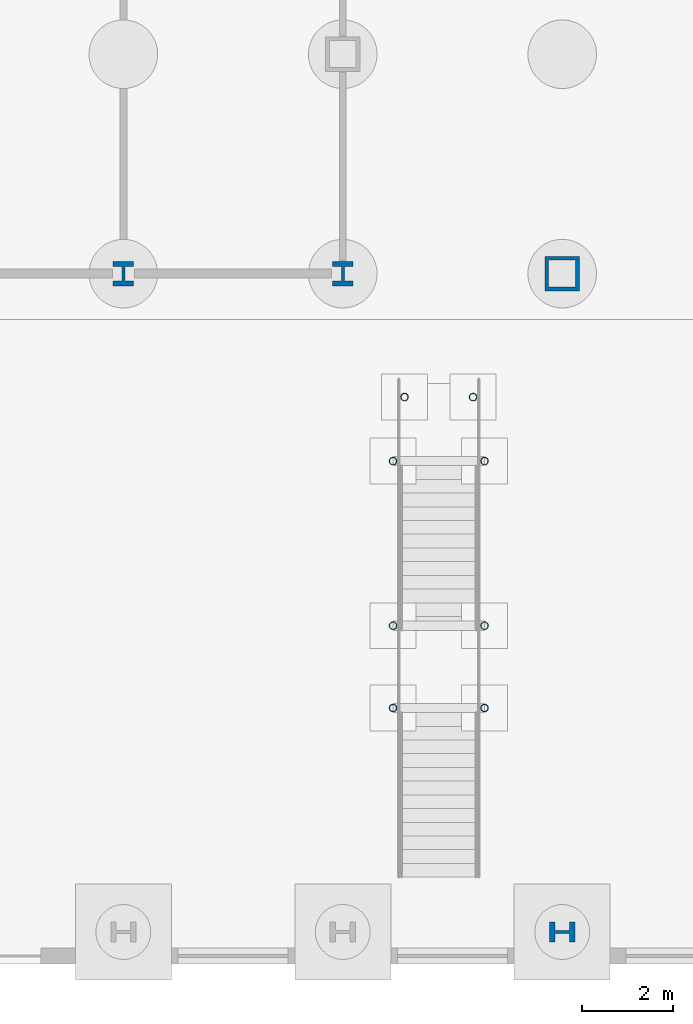
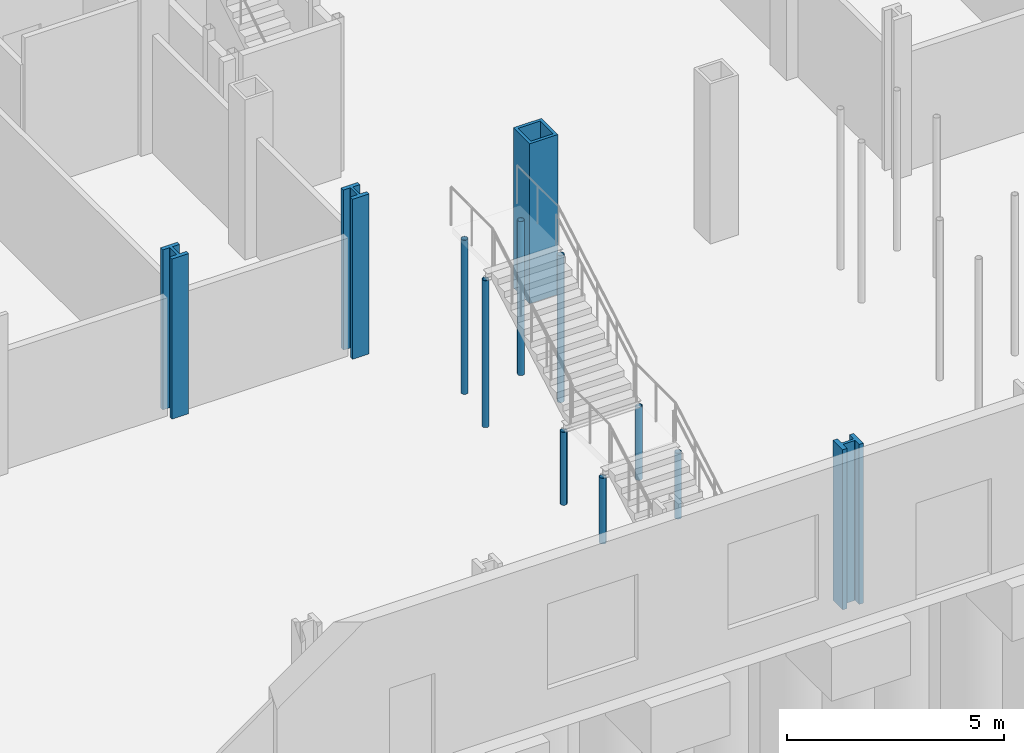
# One storey, part 3 of 22: 12 columns.
"""IFC4 building model written with IfcOpenShell, lengths in metres."""

import ifcopenshell
import ifcopenshell.guid

model = None  # the IFC model being written
_history = None  # IfcOwnerHistory: only IFC2X3 demands one
_inside = {}  # id of a spatial element -> (the spatial element, [elements in it])
_under = {}  # id of a project, library or spatial element -> (it, [spatial elements below it])
_declared = {}  # id of a project -> (the project, [libraries it declares])
_typed = {}  # id of a type object -> (the type object, [elements of that type])
_made_of = {}  # id of a material, layer set ... -> (it, [elements and type objects made of it])


def new_model(schema):
    """Start an empty IFC model of exactly this schema.

    Asked for "IFC4X3", IfcOpenShell would pick the latest addendum, in which some entities
    have other attributes; the version numbers below select the first issue.
    IFC2X3 requires an IfcOwnerHistory on every rooted entity: one is made here for all.
    """
    global model, _history
    if schema == "IFC4X3":
        model = ifcopenshell.file(schema_version=(4, 3, 0, 0))
    else:
        model = ifcopenshell.file(schema=schema)
    _inside.clear()
    _under.clear()
    _declared.clear()
    _typed.clear()
    _made_of.clear()
    _history = None
    if model.schema == "IFC2X3":
        org = make("IfcOrganization", Name="unknown")
        user = make(
            "IfcPersonAndOrganization",
            ThePerson=make("IfcPerson", FamilyName="unknown"),
            TheOrganization=org,
        )
        app = make(
            "IfcApplication",
            ApplicationDeveloper=org,
            Version="unknown",
            ApplicationFullName="unknown",
            ApplicationIdentifier="unknown",
        )
        _history = make(
            "IfcOwnerHistory",
            OwningUser=user,
            OwningApplication=app,
            ChangeAction="ADDED",
            CreationDate=0,
        )
    return model


def make(cls, **values):
    """One entity of the class cls with the attributes given. An attribute that is None is left unset."""
    return model.create_entity(
        cls, **{name: value for name, value in values.items() if value is not None}
    )


def rooted(cls, **values):
    """An entity with a GlobalId (a new one), such as an element, a storey or a relation."""
    return make(cls, GlobalId=ifcopenshell.guid.new(), OwnerHistory=_history, **values)


def si_unit(unit_type, name, prefix=None):
    """IfcSIUnit, for example si_unit("LENGTHUNIT", "METRE", prefix="MILLI")."""
    return make("IfcSIUnit", UnitType=unit_type, Prefix=prefix, Name=name)


def assignment(units):
    """IfcUnitAssignment: the units of a project."""
    return None if units is None else make("IfcUnitAssignment", Units=units)


def point(xyz):
    """IfcCartesianPoint."""
    return None if xyz is None else make("IfcCartesianPoint", Coordinates=xyz)


def direction(xyz):
    """IfcDirection."""
    return None if xyz is None else make("IfcDirection", DirectionRatios=xyz)


def frame(location, z_axis=None, x_axis=None):
    """IfcAxis2Placement3D, a coordinate frame: its origin and axes. An axis left out is left unset."""
    return make(
        "IfcAxis2Placement3D",
        Location=point(location),
        Axis=direction(z_axis),
        RefDirection=direction(x_axis),
    )


def frame_2d(location, x_axis=None):
    """IfcAxis2Placement2D, a coordinate frame in the plane: its origin and x axis."""
    return make(
        "IfcAxis2Placement2D", Location=point(location), RefDirection=direction(x_axis)
    )


def origin():
    """The frame at (0, 0, 0) with its axes left unset."""
    return frame((0.0, 0.0, 0.0))


def origin_2d():
    """The frame at (0, 0) in the plane with its x axis left unset."""
    return frame_2d((0.0, 0.0))


def place(relative_to, where):
    """IfcLocalPlacement: puts the frame where relative to a parent placement (None: the world)."""
    return make(
        "IfcLocalPlacement", PlacementRelTo=relative_to, RelativePlacement=where
    )


def context(
    kind, dimensions, precision=None, world=None, true_north=None, identifier=None
):
    """IfcGeometricRepresentationContext, for example the 3D "Model" context."""
    return make(
        "IfcGeometricRepresentationContext",
        ContextIdentifier=identifier,
        ContextType=kind,
        CoordinateSpaceDimension=dimensions,
        Precision=precision,
        WorldCoordinateSystem=world,
        TrueNorth=true_north,
    )


def subcontext(parent, identifier, kind, view, scale=None):
    """IfcGeometricRepresentationSubContext, for example "Body" below "Model"."""
    return make(
        "IfcGeometricRepresentationSubContext",
        ContextIdentifier=identifier,
        ContextType=kind,
        ParentContext=parent,
        TargetScale=scale,
        TargetView=view,
    )


def project(units=None, contexts=None):
    """IfcProject with its units and contexts."""
    return rooted(
        "IfcProject",
        Name="project",
        RepresentationContexts=contexts,
        UnitsInContext=assignment(units),
    )


def spatial(cls, under=None, at=None, **own):
    """A site, building, storey or space (cls), placed at a placement, below another one or the project."""
    s = rooted(cls, ObjectPlacement=at, **own)
    if under is not None:
        _under.setdefault(under.id(), (under, []))[1].append(s)
    return s


def profile(cls, at=None, kind="AREA", **sizes):
    """A parametric profile (cls). Its sizes go by their IFC names, for example OverallWidth=200.0."""
    return make(cls, ProfileType=kind, Position=at, **sizes)


def hollow_rectangle(**sizes):
    """IfcRectangleHollowProfileDef."""
    return profile("IfcRectangleHollowProfileDef", **sizes)


def hollow_circle(**sizes):
    """IfcCircleHollowProfileDef."""
    return profile("IfcCircleHollowProfileDef", **sizes)


def i_section(**sizes):
    """IfcIShapeProfileDef."""
    return profile("IfcIShapeProfileDef", **sizes)


def extrude(swept, where, along, depth):
    """IfcExtrudedAreaSolid: the profile swept, set in the frame where, extruded along a direction by depth."""
    return make(
        "IfcExtrudedAreaSolid",
        SweptArea=swept,
        Position=where,
        ExtrudedDirection=direction(along),
        Depth=depth,
    )


def shape(context_of_items, identifier, shape_type, items):
    """IfcShapeRepresentation: the items that make up one representation, for example the "Body"."""
    return make(
        "IfcShapeRepresentation",
        ContextOfItems=context_of_items,
        RepresentationIdentifier=identifier,
        RepresentationType=shape_type,
        Items=items,
    )


def material(Name=None, Category=None):
    """IfcMaterial."""
    return make("IfcMaterial", Name=Name, Category=Category)


def material_profile(
    of_material, cross_section, Name=None, Category=None, Priority=None
):
    """IfcMaterialProfile: a cross section and its material."""
    return make(
        "IfcMaterialProfile",
        Name=Name,
        Material=of_material,
        Profile=cross_section,
        Priority=Priority,
        Category=Category,
    )


def profile_set(profiles, Name=None, composite=None):
    """IfcMaterialProfileSet."""
    return make(
        "IfcMaterialProfileSet",
        Name=Name,
        MaterialProfiles=profiles,
        CompositeProfile=composite,
    )


def made_of(thing, what):
    """Note that an element or type object is made of a material, layer set ...; save() writes the relation."""
    if what is not None:
        _made_of.setdefault(what.id(), (what, []))[1].append(thing)
    return thing


def type_object(cls, material=None, **own):
    """A type object (cls), such as IfcWallType, which elements share."""
    return made_of(rooted(cls, **own), material)


def element(
    cls,
    number,
    at=None,
    inside=None,
    cuts=None,
    type_object=None,
    material=None,
    context=None,
    identifier="Body",
    shape_type=None,
    held_by="IfcProductDefinitionShape",
    body=None,
    shapes=None,
    **own,
):
    """One element of the class cls, such as IfcWall. Its Tag is "e" and its number.

    at: its placement. inside: the storey or other place that contains it. cuts: it is an
    opening in that element (IfcRelVoidsElement). A single representation is given by context,
    identifier, shape_type and body (its items); several are given by shapes. held_by: the class
    of the entity that holds the representations. save() writes the other relations.
    """
    e = rooted(cls, Tag="e%d" % number, ObjectPlacement=at, **own)
    if body is not None:
        shapes = [shape(context, identifier, shape_type, body)]
    if shapes is not None:
        e.Representation = make(held_by, Representations=shapes)
    if inside is not None:
        _inside.setdefault(inside.id(), (inside, []))[1].append(e)
    if cuts is not None:
        rooted(
            "IfcRelVoidsElement", RelatingBuildingElement=cuts, RelatedOpeningElement=e
        )
    if type_object is not None:
        _typed.setdefault(type_object.id(), (type_object, []))[1].append(e)
    return made_of(e, material)


def aggregate(whole, parts):
    """IfcRelAggregates: a whole, such as a stair, and the parts it consists of."""
    return rooted("IfcRelAggregates", RelatingObject=whole, RelatedObjects=parts)


def save(model, path):
    """Write the relations noted so far, then the file.

    IfcRelAggregates (storeys below a building ...), IfcRelContainedInSpatialStructure (elements
    in a storey), IfcRelDefinesByType, IfcRelAssociatesMaterial and IfcRelDeclares: one each for
    every whole, place, type object, material and project.
    """
    for whole, parts in _under.values():
        aggregate(whole, parts)
    for where, things in _inside.values():
        rooted(
            "IfcRelContainedInSpatialStructure",
            RelatedElements=things,
            RelatingStructure=where,
        )
    for kind, things in _typed.values():
        rooted("IfcRelDefinesByType", RelatedObjects=things, RelatingType=kind)
    for what, things in _made_of.values():
        rooted("IfcRelAssociatesMaterial", RelatedObjects=things, RelatingMaterial=what)
    for by, libraries in _declared.values():
        rooted("IfcRelDeclares", RelatingContext=by, RelatedDefinitions=libraries)
    model.write(path)


model = new_model("IFC4")

# Units and contexts
model_context = context("Model", 3, precision=1e-05, world=origin(), true_north=direction((0.0, 1.0)))
body_context = subcontext(model_context, "Body", "Model", "MODEL_VIEW")
ifc_project = project(units=[si_unit("LENGTHUNIT", "METRE"), si_unit("AREAUNIT", "SQUARE_METRE"), si_unit("VOLUMEUNIT", "CUBIC_METRE"), si_unit("PLANEANGLEUNIT", "RADIAN"), si_unit("MASSUNIT", "GRAM", prefix="KILO")], contexts=[model_context])

# Site, building, storey
site_placement = place(None, origin())
site = spatial("IfcSite", under=ifc_project, at=site_placement, CompositionType="ELEMENT")
building_placement = place(site_placement, origin())
building = spatial("IfcBuilding", under=site, at=building_placement, Name="Kvirike Care Tower", CompositionType="ELEMENT")
storey_placement = place(building_placement, origin())
storey = spatial("IfcBuildingStorey", under=building, at=storey_placement, Name="L00", CompositionType="ELEMENT", Elevation=0.0)

# Columns
ifc_material_1 = material(Name="Steel S460", Category="steel")
ifc_material_profile_1 = material_profile(ifc_material_1, hollow_rectangle(XDim=0.75, YDim=0.75, WallThickness=0.080078125, at=origin_2d()), Name="BX 750x750x80")
ifc_profile_set_1 = profile_set([ifc_material_profile_1], Name="Steel S460")
column_type_1 = type_object("IfcColumnType", Name="COLUMN BX 750x750x80", PredefinedType="COLUMN", material=ifc_profile_set_1)
column_1_placement = place(storey_placement, frame((19.199951171875, 14.39990234375, 0.0), z_axis=(0.0, 0.0, 1.0), x_axis=(1.0, 0.0, 0.0)))
element("IfcColumn", 1, at=column_1_placement, inside=storey, type_object=column_type_1, Name="Column D7 L00", PredefinedType="COLUMN", context=body_context, shape_type="SweptSolid", body=[
    extrude(hollow_rectangle(XDim=0.75, YDim=0.75, WallThickness=0.080078125, at=origin_2d()), origin(), (0.0, 0.0, 1.0), 4.5),
])
ifc_material_2 = material(Name="Steel S460", Category="steel")
ifc_material_profile_2 = material_profile(ifc_material_2, i_section(OverallWidth=0.44189453125, OverallDepth=0.531005859375, WebThickness=0.06591796875, FlangeThickness=0.10595703125, FilletRadius=0.014892578125, at=origin_2d()), Name="HD 400x900")
ifc_profile_set_2 = profile_set([ifc_material_profile_2], Name="Steel S460")
column_type_2 = type_object("IfcColumnType", Name="COLUMN HD 400x900", PredefinedType="COLUMN", material=ifc_profile_set_2)
for number, where, z_axis, x_axis, name in (
    (2, (9.60009765625, 14.39990234375, 0.0), (0.0, 0.0, 1.0), (1.0, 0.0, 0.0), "Column D5 L00"),
    (3, (14.39990234375, 14.39990234375, 0.0), (0.0, 0.0, 1.0), (1.0, 0.0, 0.0), "Column D6 L00"),
):
    element("IfcColumn", number, at=place(storey_placement, frame(where, z_axis=z_axis, x_axis=x_axis)), inside=storey, type_object=column_type_2, Name=name, PredefinedType="COLUMN", context=body_context, shape_type="SweptSolid", body=[
        extrude(i_section(OverallWidth=0.44189453125, OverallDepth=0.531005859375, WebThickness=0.06591796875, FlangeThickness=0.10595703125, FilletRadius=0.014892578125, at=origin_2d()), origin(), (0.0, 0.0, 1.0), 4.5),
    ])
ifc_material_3 = material(Name="Steel S460", Category="steel")
ifc_material_profile_3 = material_profile(ifc_material_3, i_section(OverallWidth=0.447998046875, OverallDepth=0.550048828125, WebThickness=0.072021484375, FlangeThickness=0.114990234375, FilletRadius=0.014892578125, at=origin_2d()), Name="HD 400x990")
ifc_profile_set_3 = profile_set([ifc_material_profile_3], Name="Steel S460")
column_type_3 = type_object("IfcColumnType", Name="COLUMN HD 400x990", PredefinedType="COLUMN", material=ifc_profile_set_3)
column_2_placement = place(storey_placement, frame((19.199951171875, 0.0, 0.0), z_axis=(0.0, 0.0, 1.0), x_axis=(0.0, 1.0, 0.0)))
element("IfcColumn", 4, at=column_2_placement, inside=storey, type_object=column_type_3, Name="Column A7 L00", PredefinedType="COLUMN", context=body_context, shape_type="SweptSolid", body=[
    extrude(i_section(OverallWidth=0.447998046875, OverallDepth=0.550048828125, WebThickness=0.072021484375, FlangeThickness=0.114990234375, FilletRadius=0.014892578125, at=origin_2d()), origin(), (0.0, 0.0, 1.0), 4.5),
])
ifc_material_4 = material(Name="Steel S355", Category="steel")
ifc_material_profile_4 = material_profile(ifc_material_4, hollow_circle(Radius=0.084228515625, WallThickness=0.008056640625, at=origin_2d()), Name="CHS 168.3x8")
ifc_profile_set_4 = profile_set([ifc_material_profile_4], Name="Steel S355")
column_type_4 = type_object("IfcColumnType", Name="FEATURE STAIR POST CHS 168.3x8", PredefinedType="COLUMN", material=ifc_profile_set_4)
for number, where, z_axis, x_axis, name in (
    (5, (15.5, 4.89990234375, 0.0), (0.0, 0.0, 1.0), (1.0, 0.0, 0.0), "Feature stair FA landing post SW"),
    (6, (17.5, 4.89990234375, 0.0), (0.0, 0.0, 1.0), (1.0, 0.0, 0.0), "Feature stair FA landing post SE"),
):
    element("IfcColumn", number, at=place(storey_placement, frame(where, z_axis=z_axis, x_axis=x_axis)), inside=storey, type_object=column_type_4, Name=name, PredefinedType="COLUMN", context=body_context, shape_type="SweptSolid", body=[
        extrude(hollow_circle(Radius=0.084228515625, WallThickness=0.008056640625, at=origin_2d()), origin(), (0.0, 0.0, 1.0), 1.85009765625),
    ])
for number, where, z_axis, x_axis, name in (
    (7, (15.5, 6.699951171875, 0.0), (0.0, 0.0, 1.0), (1.0, 0.0, 0.0), "Feature stair FA landing post NW"),
    (8, (17.5, 6.699951171875, 0.0), (0.0, 0.0, 1.0), (1.0, 0.0, 0.0), "Feature stair FA landing post NE"),
):
    element("IfcColumn", number, at=place(storey_placement, frame(where, z_axis=z_axis, x_axis=x_axis)), inside=storey, type_object=column_type_4, Name=name, PredefinedType="COLUMN", context=body_context, shape_type="SweptSolid", body=[
        extrude(hollow_circle(Radius=0.084228515625, WallThickness=0.008056640625, at=origin_2d()), origin(), (0.0, 0.0, 1.0), 2.050048828125),
    ])
for number, where, z_axis, x_axis, name in (
    (9, (15.5, 10.300048828125, 0.0), (0.0, 0.0, 1.0), (1.0, 0.0, 0.0), "Feature stair FA landing post TW"),
    (10, (17.5, 10.300048828125, 0.0), (0.0, 0.0, 1.0), (1.0, 0.0, 0.0), "Feature stair FA landing post TE"),
):
    element("IfcColumn", number, at=place(storey_placement, frame(where, z_axis=z_axis, x_axis=x_axis)), inside=storey, type_object=column_type_4, Name=name, PredefinedType="COLUMN", context=body_context, shape_type="SweptSolid", body=[
        extrude(hollow_circle(Radius=0.084228515625, WallThickness=0.008056640625, at=origin_2d()), origin(), (0.0, 0.0, 1.0), 4.1298828125),
    ])
for number, where, z_axis, x_axis, name in (
    (11, (15.75, 11.699951171875, 0.0), (0.0, 0.0, 1.0), (1.0, 0.0, 0.0), "Feature stair FA landing post UW"),
    (12, (17.25, 11.699951171875, 0.0), (0.0, 0.0, 1.0), (1.0, 0.0, 0.0), "Feature stair FA landing post UE"),
):
    element("IfcColumn", number, at=place(storey_placement, frame(where, z_axis=z_axis, x_axis=x_axis)), inside=storey, type_object=column_type_4, Name=name, PredefinedType="COLUMN", context=body_context, shape_type="SweptSolid", body=[
        extrude(hollow_circle(Radius=0.084228515625, WallThickness=0.008056640625, at=origin_2d()), origin(), (0.0, 0.0, 1.0), 4.330078125),
    ])

save(model, "model.ifc")
